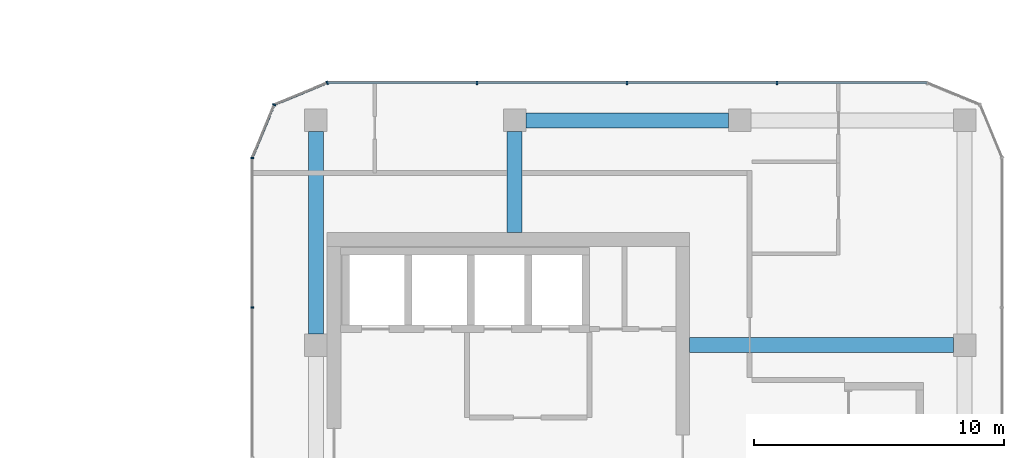
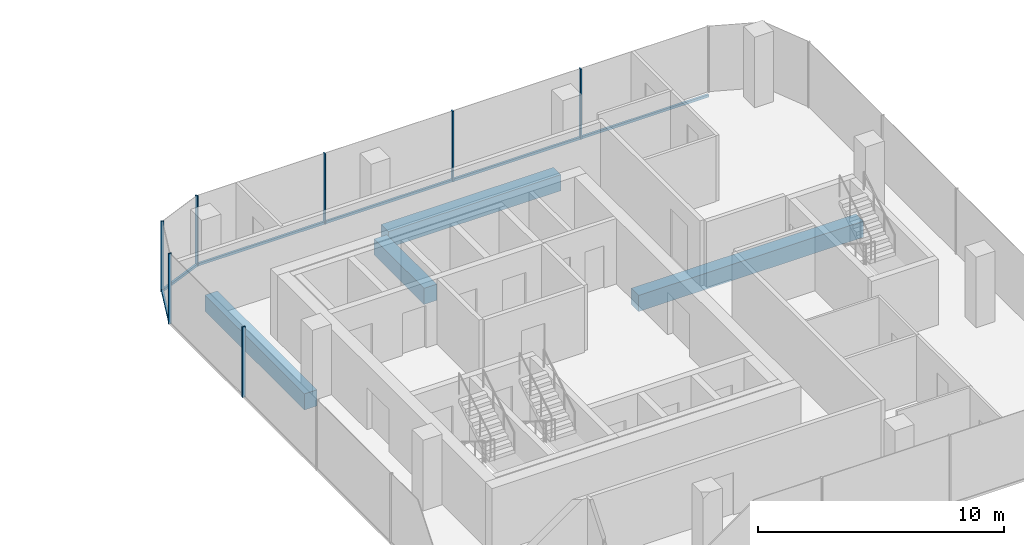
# One storey, part 9 of 23: 10 members, 4 beams, 4 elements without a shape of their own.
"""IFC4 building model written with IfcOpenShell, lengths in metres."""

from ifc_helpers import new_model, si_unit, direction, frame, origin, origin_2d, place, context, subcontext, project, spatial, rectangle, extrude, material, layer, layer_set, material_profile, profile_set, type_object, element, aggregate, save


model = new_model("IFC4")

# Units and contexts
model_context = context("Model", 3, precision=1e-05, world=origin(), true_north=direction((0.0, 1.0)))
body_context = subcontext(model_context, "Body", "Model", "MODEL_VIEW")
ifc_project = project(units=[si_unit("LENGTHUNIT", "METRE"), si_unit("AREAUNIT", "SQUARE_METRE"), si_unit("VOLUMEUNIT", "CUBIC_METRE"), si_unit("PLANEANGLEUNIT", "RADIAN"), si_unit("MASSUNIT", "GRAM", prefix="KILO")], contexts=[model_context])

# Site, building, storey
site_placement = place(None, origin())
site = spatial("IfcSite", under=ifc_project, at=site_placement, CompositionType="ELEMENT")
building_placement = place(site_placement, origin())
building = spatial("IfcBuilding", under=site, at=building_placement, Name="Plateau Cross Towers", CompositionType="ELEMENT")
storey_placement = place(building_placement, frame((0.0, 0.0, 37.300048828125)))
storey = spatial("IfcBuildingStorey", under=building, at=storey_placement, Name="L08", CompositionType="ELEMENT", Elevation=37.300048828125)

# Beams
ifc_material_1 = material(Name="Concrete C60/75", Category="concrete")
ifc_material_profile_1 = material_profile(ifc_material_1, rectangle(XDim=0.60009765625, YDim=0.800048828125, at=origin_2d()), Name="RC 600x800")
ifc_profile_set_1 = profile_set([ifc_material_profile_1], Name="Concrete C60/75")
beam_type_1 = type_object("IfcBeamType", Name="Core beam RC 600x800", PredefinedType="BEAM", material=ifc_profile_set_1)
beam_1_placement = place(storey_placement, frame((89.5, 13.5, -0.650146484375), z_axis=(1.0, 0.0, 0.0), x_axis=(0.0, 1.0, 0.0)))
element("IfcBeam", 1, at=beam_1_placement, inside=storey, type_object=beam_type_1, Name="B-CB03@L08", PredefinedType="BEAM", context=body_context, shape_type="SweptSolid", body=[
    extrude(rectangle(XDim=0.60009765625, YDim=0.800048828125, at=origin_2d()), origin(), (0.0, 0.0, 1.0), 10.550048828125),
])
beam_2_placement = place(storey_placement, frame((82.5, 18.0, -0.650146484375), z_axis=(0.0, 1.0, 0.0), x_axis=(-1.0, 0.0, 0.0)))
element("IfcBeam", 2, at=beam_2_placement, inside=storey, type_object=beam_type_1, Name="B-CB04@L08", PredefinedType="BEAM", context=body_context, shape_type="SweptSolid", body=[
    extrude(rectangle(XDim=0.60009765625, YDim=0.800048828125, at=origin_2d()), origin(), (0.0, 0.0, 1.0), 4.050048828125),
])

# Curtain wall, members
ifc_material_2 = material(Name="Dark low-iron glass", Category="glass")
ifc_layer = layer(ifc_material_2, 0.239990234375)
ifc_layer_set = layer_set([ifc_layer], Name="Dark low-iron glass")
curtain_wall_type = type_object("IfcCurtainWallType", Name="Curtain wall office unitised CW-F", PredefinedType="NOTDEFINED", material=ifc_layer_set)
curtain_wall_1_placement = place(storey_placement, origin())
curtain_wall_1 = element("IfcCurtainWall", 3, at=curtain_wall_1_placement, inside=storey, type_object=curtain_wall_type, Name="ENV/B/L08/B990_240", PredefinedType="NOTDEFINED")
ifc_material_3 = material(Name="Black anodised aluminium", Category="aluminium")
ifc_material_profile_2 = material_profile(ifc_material_3, rectangle(XDim=0.06005859375, YDim=0.139892578125, at=origin_2d()), Name="MULLION 60x140")
ifc_profile_set_2 = profile_set([ifc_material_profile_2], Name="Black anodised aluminium")
member_type_1 = type_object("IfcMemberType", Name="Mullion 60x140 office unitised", PredefinedType="MULLION", material=ifc_profile_set_2)
member_1_placement = place(storey_placement, frame((93.0, 24.0, -0.25), z_axis=(0.0, 0.0, 1.0), x_axis=(-1.0, 0.0, 0.0)))
member_1 = element("IfcMember", 4, at=member_1_placement, type_object=member_type_1, Name="CW-F mullion 2", PredefinedType="MULLION", context=body_context, shape_type="SweptSolid", body=[
    extrude(rectangle(XDim=0.06005859375, YDim=0.139892578125, at=origin_2d()), origin(), (0.0, 0.0, 1.0), 3.5),
])
member_2_placement = place(storey_placement, frame((87.0, 24.0, -0.25), z_axis=(0.0, 0.0, 1.0), x_axis=(-1.0, 0.0, 0.0)))
member_2 = element("IfcMember", 5, at=member_2_placement, type_object=member_type_1, Name="CW-F mullion 3", PredefinedType="MULLION", context=body_context, shape_type="SweptSolid", body=[
    extrude(rectangle(XDim=0.06005859375, YDim=0.139892578125, at=origin_2d()), origin(), (0.0, 0.0, 1.0), 3.5),
])
member_3_placement = place(storey_placement, frame((81.0, 24.0, -0.25), z_axis=(0.0, 0.0, 1.0), x_axis=(-1.0, 0.0, 0.0)))
member_3 = element("IfcMember", 6, at=member_3_placement, type_object=member_type_1, Name="CW-F mullion 4", PredefinedType="MULLION", context=body_context, shape_type="SweptSolid", body=[
    extrude(rectangle(XDim=0.06005859375, YDim=0.139892578125, at=origin_2d()), origin(), (0.0, 0.0, 1.0), 3.5),
])

# Curtain wall, member
curtain_wall_2_placement = place(storey_placement, origin())
curtain_wall_2 = element("IfcCurtainWall", 7, at=curtain_wall_2_placement, inside=storey, type_object=curtain_wall_type, Name="ENV/B/L08/B750_240", PredefinedType="NOTDEFINED")
member_4_placement = place(storey_placement, frame((75.0, 24.0, -0.25), z_axis=(0.0, 0.0, 1.0), x_axis=(-0.923879457699, -0.382683612978, 0.0)))
member_4 = element("IfcMember", 8, at=member_4_placement, type_object=member_type_1, Name="CW-F mullion 1", PredefinedType="MULLION", context=body_context, shape_type="SweptSolid", body=[
    extrude(rectangle(XDim=0.06005859375, YDim=0.139892578125, at=origin_2d()), origin(), (0.0, 0.0, 1.0), 3.5),
])

curtain_wall_3_placement = place(storey_placement, origin())
curtain_wall_3 = element("IfcCurtainWall", 9, at=curtain_wall_3_placement, inside=storey, type_object=curtain_wall_type, Name="ENV/B/L08/B729_231", PredefinedType="NOTDEFINED")
member_5_placement = place(storey_placement, frame((72.878662109375, 23.121337890625, -0.25), z_axis=(0.0, 0.0, 1.0), x_axis=(-0.382683612978, -0.923879457699, 0.0)))
member_5 = element("IfcMember", 10, at=member_5_placement, type_object=member_type_1, Name="CW-F mullion 1", PredefinedType="MULLION", context=body_context, shape_type="SweptSolid", body=[
    extrude(rectangle(XDim=0.06005859375, YDim=0.139892578125, at=origin_2d()), origin(), (0.0, 0.0, 1.0), 3.5),
])

# Curtain wall, members
curtain_wall_4_placement = place(storey_placement, origin())
curtain_wall_4 = element("IfcCurtainWall", 11, at=curtain_wall_4_placement, inside=storey, type_object=curtain_wall_type, Name="ENV/B/L08/B720_210", PredefinedType="NOTDEFINED")
member_6_placement = place(storey_placement, frame((72.0, 21.0, -0.25), z_axis=(0.0, 0.0, 1.0), x_axis=(0.0, -1.0, 0.0)))
member_6 = element("IfcMember", 12, at=member_6_placement, type_object=member_type_1, Name="CW-F mullion 1", PredefinedType="MULLION", context=body_context, shape_type="SweptSolid", body=[
    extrude(rectangle(XDim=0.06005859375, YDim=0.139892578125, at=origin_2d()), origin(), (0.0, 0.0, 1.0), 3.5),
])
member_7_placement = place(storey_placement, frame((72.0, 15.0, -0.25), z_axis=(0.0, 0.0, 1.0), x_axis=(0.0, -1.0, 0.0)))
member_7 = element("IfcMember", 13, at=member_7_placement, type_object=member_type_1, Name="CW-F mullion 2", PredefinedType="MULLION", context=body_context, shape_type="SweptSolid", body=[
    extrude(rectangle(XDim=0.06005859375, YDim=0.139892578125, at=origin_2d()), origin(), (0.0, 0.0, 1.0), 3.5),
])
aggregate(curtain_wall_4, [member_6, member_7])

# Beams
ifc_material_profile_3 = material_profile(ifc_material_1, rectangle(XDim=0.60009765625, YDim=0.800048828125, at=origin_2d()), Name="RC 600x800")
ifc_profile_set_3 = profile_set([ifc_material_profile_3], Name="Concrete C60/75")
beam_type_2 = type_object("IfcBeamType", Name="Ring beam RC 600x800", PredefinedType="BEAM", material=ifc_profile_set_3)
for number, where, z_axis, x_axis, name in (
    (14, (91.050048828125, 22.5, -0.650146484375), (-1.0, 0.0, 0.0), (0.0, -1.0, 0.0), "B-RB07@L08"),
    (15, (74.550048828125, 22.050048828125, -0.650146484375), (0.0, -1.0, 0.0), (1.0, 0.0, 0.0), "B-RB08@L08"),
):
    element("IfcBeam", number, at=place(storey_placement, frame(where, z_axis=z_axis, x_axis=x_axis)), inside=storey, type_object=beam_type_2, Name=name, PredefinedType="BEAM", context=body_context, shape_type="SweptSolid", body=[
        extrude(rectangle(XDim=0.60009765625, YDim=0.800048828125, at=origin_2d()), origin(), (0.0, 0.0, 1.0), 8.10009765625),
    ])

# Member
ifc_material_profile_4 = material_profile(ifc_material_3, rectangle(XDim=0.10009765625, YDim=0.1201171875, at=origin_2d()), Name="TRANSOM 100x120")
ifc_profile_set_4 = profile_set([ifc_material_profile_4], Name="Black anodised aluminium")
member_type_2 = type_object("IfcMemberType", Name="Transom 100x120 office unitised", PredefinedType="USERDEFINED", material=ifc_profile_set_4)
member_8_placement = place(storey_placement, frame((99.0, 24.0, -0.18994140625), z_axis=(-1.0, 0.0, 0.0), x_axis=(0.0, -1.0, 0.0)))
member_8 = element("IfcMember", 16, at=member_8_placement, type_object=member_type_2, Name="CW-F transom", ObjectType="TRANSOM", PredefinedType="USERDEFINED", context=body_context, shape_type="SweptSolid", body=[
    extrude(rectangle(XDim=0.10009765625, YDim=0.1201171875, at=origin_2d()), origin(), (0.0, 0.0, 1.0), 24.0),
])

aggregate(curtain_wall_1, [member_1, member_2, member_3, member_8])

member_9_placement = place(storey_placement, frame((75.0, 24.0, -0.18994140625), z_axis=(-0.923883353507, -0.382674207535, 0.0), x_axis=(0.382674207535, -0.923883353507, 0.0)))
member_9 = element("IfcMember", 17, at=member_9_placement, type_object=member_type_2, Name="CW-F transom", ObjectType="TRANSOM", PredefinedType="USERDEFINED", context=body_context, shape_type="SweptSolid", body=[
    extrude(rectangle(XDim=0.10009765625, YDim=0.1201171875, at=origin_2d()), origin(), (0.0, 0.0, 1.0), 2.296142578125),
])

aggregate(curtain_wall_2, [member_4, member_9])

member_10_placement = place(storey_placement, frame((72.878662109375, 23.121337890625, -0.18994140625), z_axis=(-0.382674207535, -0.923883353507, 0.0), x_axis=(0.923883353507, -0.382674207535, 0.0)))
member_10 = element("IfcMember", 18, at=member_10_placement, type_object=member_type_2, Name="CW-F transom", ObjectType="TRANSOM", PredefinedType="USERDEFINED", context=body_context, shape_type="SweptSolid", body=[
    extrude(rectangle(XDim=0.10009765625, YDim=0.1201171875, at=origin_2d()), origin(), (0.0, 0.0, 1.0), 2.296142578125),
])

aggregate(curtain_wall_3, [member_5, member_10])

save(model, "model.ifc")
